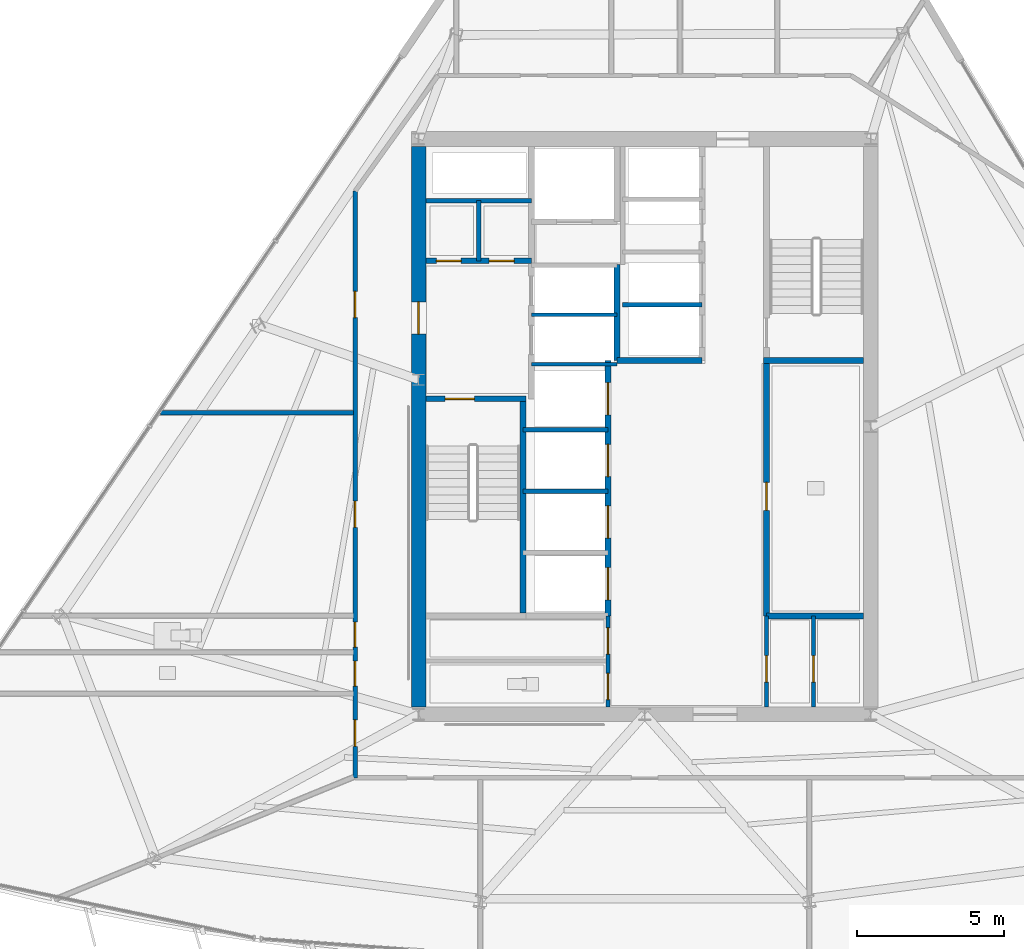
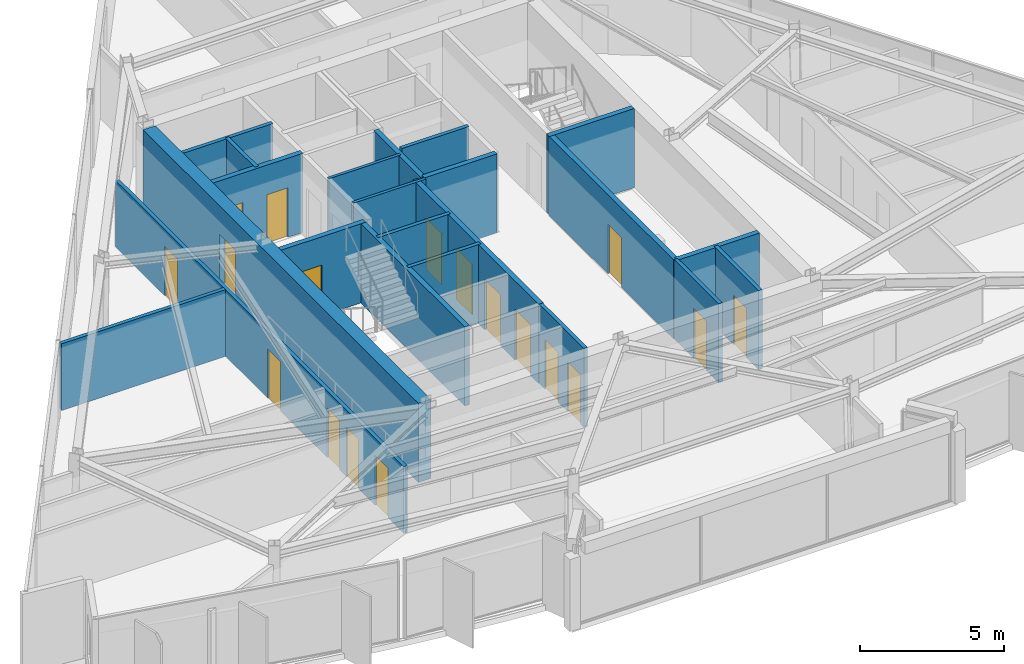
# One storey, part 8 of 14: 22 walls, 18 doors, 18 openings.
"""IFC4 building model written with IfcOpenShell, lengths in metres."""

from ifc_helpers import new_model, si_unit, direction, frame, frame_2d, origin, place, context, subcontext, project, spatial, rectangle, extrude, material, layer, layer_set, type_object, element, fill, save


model = new_model("IFC4")

# Units and contexts
model_context = context("Model", 3, precision=1e-05, world=origin(), true_north=direction((0.0, 1.0)))
body_context = subcontext(model_context, "Body", "Model", "MODEL_VIEW")
ifc_project = project(units=[si_unit("LENGTHUNIT", "METRE"), si_unit("AREAUNIT", "SQUARE_METRE"), si_unit("VOLUMEUNIT", "CUBIC_METRE"), si_unit("PLANEANGLEUNIT", "RADIAN"), si_unit("MASSUNIT", "GRAM", prefix="KILO")], contexts=[model_context])

# Site, building, storey
site_placement = place(None, origin())
site = spatial("IfcSite", under=ifc_project, at=site_placement, CompositionType="ELEMENT")
building_placement = place(site_placement, origin())
building = spatial("IfcBuilding", under=site, at=building_placement, Name="Savorim Split Tower", CompositionType="ELEMENT")
storey_placement = place(building_placement, frame((0.0, 0.0, 209.10009765625)))
storey = spatial("IfcBuildingStorey", under=building, at=storey_placement, Name="L55", CompositionType="ELEMENT", Elevation=209.10009765625)

# Wall, opening, door
ifc_material_1 = material(Name="Concrete C60/75", Category="concrete")
ifc_layer_1 = layer(ifc_material_1, 0.5)
ifc_layer_set_1 = layer_set([ifc_layer_1], Name="WAL-COR-SH500")
wall_type_1 = type_object("IfcWallType", Name="WAL-COR-SH500", PredefinedType="SHEAR", material=ifc_layer_set_1)
wall_1_placement = place(storey_placement, frame((-7.699951171875, -9.14990234375, 0.0), z_axis=(0.0, 0.0, 1.0), x_axis=(0.0, 1.0, 0.0)))
wall_1 = element("IfcWall", 1, at=wall_1_placement, inside=storey, type_object=wall_type_1, Name="L55 Offset Core West Shear Wall", PredefinedType="SHEAR", context=body_context, shape_type="SweptSolid", body=[
    extrude(rectangle(XDim=19.099853515625, YDim=0.5, at=frame_2d((9.5498046875, 0.0))), origin(), (0.0, 0.0, 1.0), 3.349853515625),
])
opening_1_placement = place(wall_1_placement, frame((12.699951171875, 0.0, 0.0)))
opening_1 = element("IfcOpeningElement", 2, at=opening_1_placement, cuts=wall_1, Name="Opening DI-03", PredefinedType="OPENING", context=body_context, shape_type="SweptSolid", body=[
    extrude(rectangle(XDim=1.10009765625, YDim=2.14990234375, at=frame_2d((0.550048828125, 1.074951171875))), frame((0.0, 0.260009765625, 0.0), z_axis=(0.0, -1.0, 0.0), x_axis=(1.0, 0.0, 0.0)), (0.0, 0.0, 1.0), 0.52001953125),
])
ifc_material_2 = material(Name="Timber Fire Door Leaf", Category="wood")
door_type_1 = type_object("IfcDoorType", Name="DOR-FIR-1100", OperationType="NOTDEFINED", PredefinedType="DOOR", material=ifc_material_2)
door_1_placement = place(opening_1_placement, origin())
door_1 = element("IfcDoor", 3, at=door_1_placement, inside=storey, type_object=door_type_1, Name="DOR-L55-COR-FFLOB - L55 Firefighting Lobby Corridor Door", OperationType="SINGLE_SWING_LEFT", OverallHeight=2.14990234375, OverallWidth=1.10009765625, PredefinedType="DOOR", context=body_context, shape_type="SweptSolid", body=[
    extrude(rectangle(XDim=1.10009765625, YDim=2.14990234375, at=frame_2d((0.550048828125, 1.074951171875))), frame((0.0, 0.02490234375, 0.0), z_axis=(0.0, -1.0, 0.0), x_axis=(1.0, 0.0, 0.0)), (0.0, 0.0, 1.0), 0.050048828125),
])
fill(opening_1, door_1)

ifc_material_3 = material(Name="Concrete C50/60", Category="concrete")
ifc_layer_2 = layer(ifc_material_3, 0.199951171875)
ifc_layer_set_2 = layer_set([ifc_layer_2], Name="WAL-INT-RC200")
wall_type_2 = type_object("IfcWallType", Name="WAL-INT-RC200", PredefinedType="SOLIDWALL", material=ifc_layer_set_2)
wall_2_placement = place(storey_placement, frame((-7.449951171875, 1.35009765625, 0.0), z_axis=(0.0, 0.0, 1.0), x_axis=(1.0, 0.0, 0.0)))
wall_2 = element("IfcWall", 4, at=wall_2_placement, inside=storey, type_object=wall_type_2, Name="L55 Structural Shaft Wall W-L55-CR01", PredefinedType="SOLIDWALL", context=body_context, shape_type="SweptSolid", body=[
    extrude(rectangle(XDim=3.39990234375, YDim=0.199951171875, at=frame_2d((1.699951171875, 0.0))), origin(), (0.0, 0.0, 1.0), 3.349853515625),
])
opening_2_placement = place(wall_2_placement, frame((0.64990234375, 0.0, 0.0)))
opening_2 = element("IfcOpeningElement", 5, at=opening_2_placement, cuts=wall_2, Name="Opening DI-04", PredefinedType="OPENING", context=body_context, shape_type="SweptSolid", body=[
    extrude(rectangle(XDim=1.0, YDim=2.14990234375, at=frame_2d((0.5, 1.074951171875))), frame((0.0, 0.10986328125, 0.0), z_axis=(0.0, -1.0, 0.0), x_axis=(1.0, 0.0, 0.0)), (0.0, 0.0, 1.0), 0.219970703125),
])
door_type_2 = type_object("IfcDoorType", Name="DOR-FIR-1000", OperationType="NOTDEFINED", PredefinedType="DOOR", material=ifc_material_2)
door_2_placement = place(opening_2_placement, origin())
door_2 = element("IfcDoor", 6, at=door_2_placement, inside=storey, type_object=door_type_2, Name="DR-L55-ST1 - L55 Stair ST-1 Enclosure Door", OperationType="SINGLE_SWING_LEFT", OverallHeight=2.14990234375, OverallWidth=1.0, PredefinedType="DOOR", context=body_context, shape_type="SweptSolid", body=[
    extrude(rectangle(XDim=1.0, YDim=2.14990234375, at=frame_2d((0.5, 1.074951171875))), frame((0.0, 0.02490234375, 0.0), z_axis=(0.0, -1.0, 0.0), x_axis=(1.0, 0.0, 0.0)), (0.0, 0.0, 1.0), 0.050048828125),
])
fill(opening_2, door_2)

# Wall
wall_3_placement = place(storey_placement, frame((-4.14990234375, -5.949951171875, 0.0), z_axis=(0.0, 0.0, 1.0), x_axis=(0.0, 1.0, 0.0)))
element("IfcWall", 7, at=wall_3_placement, inside=storey, type_object=wall_type_2, Name="L55 Structural Shaft Wall W-L55-CR02", PredefinedType="SOLIDWALL", context=body_context, shape_type="SweptSolid", body=[
    extrude(rectangle(XDim=7.199951171875, YDim=0.199951171875, at=frame_2d((3.60009765625, 0.0))), origin(), (0.0, 0.0, 1.0), 3.349853515625),
])

# Wall, openings, doors
wall_4_placement = place(storey_placement, frame((-7.445068359375, 6.050048828125, 0.0), z_axis=(0.0, 0.0, 1.0), x_axis=(1.0, 0.0, 0.0)))
wall_4 = element("IfcWall", 8, at=wall_4_placement, inside=storey, type_object=wall_type_2, Name="L55 Partition W-L55-CR04", PredefinedType="SOLIDWALL", context=body_context, shape_type="SweptSolid", body=[
    extrude(rectangle(XDim=3.594970703125, YDim=0.199951171875, at=frame_2d((1.79736328125, 0.0))), origin(), (0.0, 0.0, 1.0), 3.349853515625),
])
opening_3_placement = place(wall_4_placement, frame((0.344970703125, 0.0, 0.0)))
opening_3 = element("IfcOpeningElement", 9, at=opening_3_placement, cuts=wall_4, Name="Opening DI-12", PredefinedType="OPENING", context=body_context, shape_type="SweptSolid", body=[
    extrude(rectangle(XDim=0.85009765625, YDim=2.10009765625, at=frame_2d((0.425048828125, 1.050048828125))), frame((0.0, 0.10986328125, 0.0), z_axis=(0.0, -1.0, 0.0), x_axis=(1.0, 0.0, 0.0)), (0.0, 0.0, 1.0), 0.219970703125),
])
opening_4_placement = place(wall_4_placement, frame((2.14501953125, 0.0, 0.0)))
opening_4 = element("IfcOpeningElement", 10, at=opening_4_placement, cuts=wall_4, Name="Opening DI-12", PredefinedType="OPENING", context=body_context, shape_type="SweptSolid", body=[
    extrude(rectangle(XDim=0.85009765625, YDim=2.10009765625, at=frame_2d((0.425048828125, 1.050048828125))), frame((0.0, 0.10986328125, 0.0), z_axis=(0.0, -1.0, 0.0), x_axis=(1.0, 0.0, 0.0)), (0.0, 0.0, 1.0), 0.219970703125),
])
ifc_material_4 = material(Name="Galvanised Painted Steel Balustrade", Category="steel")
door_type_3 = type_object("IfcDoorType", Name="DOR-RIS-850", OperationType="NOTDEFINED", PredefinedType="DOOR", material=ifc_material_4)
door_3_placement = place(opening_3_placement, origin())
door_3 = element("IfcDoor", 11, at=door_3_placement, inside=storey, type_object=door_type_3, Name="DR-L55-ELR - L55 Electrical Riser Access Door", OperationType="SINGLE_SWING_RIGHT", OverallHeight=2.10009765625, OverallWidth=0.85009765625, PredefinedType="DOOR", context=body_context, shape_type="SweptSolid", body=[
    extrude(rectangle(XDim=0.85009765625, YDim=2.10009765625, at=frame_2d((0.425048828125, 1.050048828125))), frame((0.0, 0.02490234375, 0.0), z_axis=(0.0, -1.0, 0.0), x_axis=(1.0, 0.0, 0.0)), (0.0, 0.0, 1.0), 0.050048828125),
])
fill(opening_3, door_3)
door_4_placement = place(opening_4_placement, origin())
door_4 = element("IfcDoor", 12, at=door_4_placement, inside=storey, type_object=door_type_3, Name="DR-L55-TLR - L55 Telecom Riser Access Door", OperationType="SINGLE_SWING_LEFT", OverallHeight=2.10009765625, OverallWidth=0.85009765625, PredefinedType="DOOR", context=body_context, shape_type="SweptSolid", body=[
    extrude(rectangle(XDim=0.85009765625, YDim=2.10009765625, at=frame_2d((0.425048828125, 1.050048828125))), frame((0.0, 0.02490234375, 0.0), z_axis=(0.0, -1.0, 0.0), x_axis=(1.0, 0.0, 0.0)), (0.0, 0.0, 1.0), 0.050048828125),
])
fill(opening_4, door_4)

# Walls
wall_5_placement = place(storey_placement, frame((4.050048828125, 2.64990234375, 0.0), z_axis=(0.0, 0.0, 1.0), x_axis=(1.0, 0.0, 0.0)))
element("IfcWall", 13, at=wall_5_placement, inside=storey, type_object=wall_type_2, Name="L55 Structural Shaft Wall W-L55-CR08", PredefinedType="SOLIDWALL", context=body_context, shape_type="SweptSolid", body=[
    extrude(rectangle(XDim=3.39990234375, YDim=0.199951171875, at=frame_2d((1.699951171875, 0.0))), origin(), (0.0, 0.0, 1.0), 3.349853515625),
])
wall_6_placement = place(storey_placement, frame((-0.949951171875, 2.64990234375, 0.0), z_axis=(0.0, 0.0, 1.0), x_axis=(0.0, 1.0, 0.0)))
element("IfcWall", 14, at=wall_6_placement, inside=storey, type_object=wall_type_2, Name="L55 Partition W-L55-FFLW", PredefinedType="SOLIDWALL", context=body_context, shape_type="SweptSolid", body=[
    extrude(rectangle(XDim=3.27001953125, YDim=0.199951171875, at=frame_2d((1.635009765625, 0.0))), origin(), (0.0, 0.0, 1.0), 3.349853515625),
])

# Wall, opening, door
wall_7_placement = place(storey_placement, frame((4.14990234375, -6.050048828125, 0.0), z_axis=(0.0, 0.0, 1.0), x_axis=(0.0, 1.0, 0.0)))
wall_7 = element("IfcWall", 15, at=wall_7_placement, inside=storey, type_object=wall_type_2, Name="L55 Partition W-L55-B1FRONT", PredefinedType="SOLIDWALL", context=body_context, shape_type="SweptSolid", body=[
    extrude(rectangle(XDim=8.699951171875, YDim=0.199951171875, at=frame_2d((4.35009765625, 0.0))), origin(), (0.0, 0.0, 1.0), 3.349853515625),
])
opening_5_placement = place(wall_7_placement, frame((3.60009765625, 0.0, 0.0)))
opening_5 = element("IfcOpeningElement", 16, at=opening_5_placement, cuts=wall_7, Name="Opening DI-05", PredefinedType="OPENING", context=body_context, shape_type="SweptSolid", body=[
    extrude(rectangle(XDim=0.949951171875, YDim=2.10009765625, at=frame_2d((0.47509765625, 1.050048828125))), frame((0.0, 0.10986328125, 0.0), z_axis=(0.0, -1.0, 0.0), x_axis=(1.0, 0.0, 0.0)), (0.0, 0.0, 1.0), 0.219970703125),
])
door_type_4 = type_object("IfcDoorType", Name="DOR-FIR-950", OperationType="NOTDEFINED", PredefinedType="DOOR", material=ifc_material_2)
door_5_placement = place(opening_5_placement, origin())
door_5 = element("IfcDoor", 17, at=door_5_placement, inside=storey, type_object=door_type_4, Name="DR-L55-LV7B1 - L55 Community Laundry Room Door", OperationType="SINGLE_SWING_RIGHT", OverallHeight=2.10009765625, OverallWidth=0.949951171875, PredefinedType="DOOR", context=body_context, shape_type="SweptSolid", body=[
    extrude(rectangle(XDim=0.949951171875, YDim=2.10009765625, at=frame_2d((0.47509765625, 1.050048828125))), frame((0.0, 0.02490234375, 0.0), z_axis=(0.0, -1.0, 0.0), x_axis=(1.0, 0.0, 0.0)), (0.0, 0.0, 1.0), 0.050048828125),
])
fill(opening_5, door_5)

# Wall, openings, doors
wall_8_placement = place(storey_placement, frame((-1.25, -6.050048828125, 0.0), z_axis=(0.0, 0.0, 1.0), x_axis=(0.0, 1.0, 0.0)))
wall_8 = element("IfcWall", 18, at=wall_8_placement, inside=storey, type_object=wall_type_2, Name="L55 Partition W-L55-B2FRONT", PredefinedType="SOLIDWALL", context=body_context, shape_type="SweptSolid", body=[
    extrude(rectangle(XDim=8.699951171875, YDim=0.199951171875, at=frame_2d((4.35009765625, 0.0))), origin(), (0.0, 0.0, 1.0), 3.349853515625),
])
opening_6_placement = place(wall_8_placement, frame((0.550048828125, 0.0, 0.0)))
opening_6 = element("IfcOpeningElement", 19, at=opening_6_placement, cuts=wall_8, Name="Opening LD-02", PredefinedType="OPENING", context=body_context, shape_type="SweptSolid", body=[
    extrude(rectangle(XDim=1.10009765625, YDim=2.14990234375, at=frame_2d((0.550048828125, 1.074951171875))), frame((0.0, 0.10986328125, 0.0), z_axis=(0.0, -1.0, 0.0), x_axis=(1.0, 0.0, 0.0)), (0.0, 0.0, 1.0), 0.219970703125),
])
opening_7_placement = place(wall_8_placement, frame((2.64990234375, 0.0, 0.0)))
opening_7 = element("IfcOpeningElement", 20, at=opening_7_placement, cuts=wall_8, Name="Opening LD-02", PredefinedType="OPENING", context=body_context, shape_type="SweptSolid", body=[
    extrude(rectangle(XDim=1.10009765625, YDim=2.14990234375, at=frame_2d((0.550048828125, 1.074951171875))), frame((0.0, 0.10986328125, 0.0), z_axis=(0.0, -1.0, 0.0), x_axis=(1.0, 0.0, 0.0)), (0.0, 0.0, 1.0), 0.219970703125),
])
opening_8_placement = place(wall_8_placement, frame((4.75, 0.0, 0.0)))
opening_8 = element("IfcOpeningElement", 21, at=opening_8_placement, cuts=wall_8, Name="Opening LD-02", PredefinedType="OPENING", context=body_context, shape_type="SweptSolid", body=[
    extrude(rectangle(XDim=1.10009765625, YDim=2.14990234375, at=frame_2d((0.550048828125, 1.074951171875))), frame((0.0, 0.10986328125, 0.0), z_axis=(0.0, -1.0, 0.0), x_axis=(1.0, 0.0, 0.0)), (0.0, 0.0, 1.0), 0.219970703125),
])
opening_9_placement = place(wall_8_placement, frame((6.85009765625, 0.0, 0.0)))
opening_9 = element("IfcOpeningElement", 22, at=opening_9_placement, cuts=wall_8, Name="Opening LD-02", PredefinedType="OPENING", context=body_context, shape_type="SweptSolid", body=[
    extrude(rectangle(XDim=1.10009765625, YDim=2.14990234375, at=frame_2d((0.550048828125, 1.074951171875))), frame((0.0, 0.10986328125, 0.0), z_axis=(0.0, -1.0, 0.0), x_axis=(1.0, 0.0, 0.0)), (0.0, 0.0, 1.0), 0.219970703125),
])
ifc_material_5 = material(Name="Charcoal Anodised Aluminium", Category="aluminium")
door_type_5 = type_object("IfcDoorType", Name="DOR-SLD-LDM1100", OperationType="NOTDEFINED", PredefinedType="DOOR", material=ifc_material_5)
door_6_placement = place(opening_6_placement, origin())
door_6 = element("IfcDoor", 23, at=door_6_placement, inside=storey, type_object=door_type_5, Name="DR-L55-LD-PLM1 - L55 Lift PL-M1 Sliding Landing Door", OperationType="DOUBLE_DOOR_SLIDING", OverallHeight=2.14990234375, OverallWidth=1.10009765625, PredefinedType="DOOR", context=body_context, shape_type="SweptSolid", body=[
    extrude(rectangle(XDim=1.10009765625, YDim=2.14990234375, at=frame_2d((0.550048828125, 1.074951171875))), frame((0.0, 0.02490234375, 0.0), z_axis=(0.0, -1.0, 0.0), x_axis=(1.0, 0.0, 0.0)), (0.0, 0.0, 1.0), 0.050048828125),
])
fill(opening_6, door_6)
door_7_placement = place(opening_7_placement, origin())
door_7 = element("IfcDoor", 24, at=door_7_placement, inside=storey, type_object=door_type_5, Name="DR-L55-LD-PLM2 - L55 Lift PL-M2 Sliding Landing Door", OperationType="DOUBLE_DOOR_SLIDING", OverallHeight=2.14990234375, OverallWidth=1.10009765625, PredefinedType="DOOR", context=body_context, shape_type="SweptSolid", body=[
    extrude(rectangle(XDim=1.10009765625, YDim=2.14990234375, at=frame_2d((0.550048828125, 1.074951171875))), frame((0.0, 0.02490234375, 0.0), z_axis=(0.0, -1.0, 0.0), x_axis=(1.0, 0.0, 0.0)), (0.0, 0.0, 1.0), 0.050048828125),
])
fill(opening_7, door_7)
door_8_placement = place(opening_8_placement, origin())
door_8 = element("IfcDoor", 25, at=door_8_placement, inside=storey, type_object=door_type_5, Name="DR-L55-LD-PLM3 - L55 Lift PL-M3 Sliding Landing Door", OperationType="DOUBLE_DOOR_SLIDING", OverallHeight=2.14990234375, OverallWidth=1.10009765625, PredefinedType="DOOR", context=body_context, shape_type="SweptSolid", body=[
    extrude(rectangle(XDim=1.10009765625, YDim=2.14990234375, at=frame_2d((0.550048828125, 1.074951171875))), frame((0.0, 0.02490234375, 0.0), z_axis=(0.0, -1.0, 0.0), x_axis=(1.0, 0.0, 0.0)), (0.0, 0.0, 1.0), 0.050048828125),
])
fill(opening_8, door_8)
door_9_placement = place(opening_9_placement, origin())
door_9 = element("IfcDoor", 26, at=door_9_placement, inside=storey, type_object=door_type_5, Name="DR-L55-LD-PLM4 - L55 Lift PL-M4 Sliding Landing Door", OperationType="DOUBLE_DOOR_SLIDING", OverallHeight=2.14990234375, OverallWidth=1.10009765625, PredefinedType="DOOR", context=body_context, shape_type="SweptSolid", body=[
    extrude(rectangle(XDim=1.10009765625, YDim=2.14990234375, at=frame_2d((0.550048828125, 1.074951171875))), frame((0.0, 0.02490234375, 0.0), z_axis=(0.0, -1.0, 0.0), x_axis=(1.0, 0.0, 0.0)), (0.0, 0.0, 1.0), 0.050048828125),
])
fill(opening_9, door_9)

# Walls
wall_9_placement = place(storey_placement, frame((-0.949951171875, 2.64990234375, 0.0), z_axis=(0.0, 0.0, 1.0), x_axis=(1.0, 0.0, 0.0)))
element("IfcWall", 27, at=wall_9_placement, inside=storey, type_object=wall_type_2, Name="L55 Partition W-L55-B3SOUTH", PredefinedType="SOLIDWALL", context=body_context, shape_type="SweptSolid", body=[
    extrude(rectangle(XDim=2.89990234375, YDim=0.199951171875, at=frame_2d((1.449951171875, 0.0))), origin(), (0.0, 0.0, 1.0), 3.349853515625),
])
wall_10_placement = place(storey_placement, frame((4.14990234375, -6.050048828125, 0.0), z_axis=(0.0, 0.0, 1.0), x_axis=(1.0, 0.0, 0.0)))
element("IfcWall", 28, at=wall_10_placement, inside=storey, type_object=wall_type_2, Name="L55 Partition W-L55-KSEP-E", PredefinedType="SOLIDWALL", context=body_context, shape_type="SweptSolid", body=[
    extrude(rectangle(XDim=3.295166015625, YDim=0.199951171875, at=frame_2d((1.6474609375, 0.0))), origin(), (0.0, 0.0, 1.0), 3.349853515625),
])
ifc_material_6 = material(Name="Acoustic Gypsum Partition Board")
ifc_layer_3 = layer(ifc_material_6, 0.1201171875)
ifc_layer_set_3 = layer_set([ifc_layer_3], Name="WAL-PAR-120")
wall_type_3 = type_object("IfcWallType", Name="WAL-PAR-120", PredefinedType="PARTITIONING", material=ifc_layer_set_3)
for number, where, z_axis, x_axis, name in (
    (29, (-3.85009765625, 2.52001953125, 0.0), (0.0, 0.0, 1.0), (1.0, 0.0, 0.0), "L55 Partition W-L55-FFLD0"),
    (30, (-3.85009765625, 4.219970703125, 0.0), (0.0, 0.0, 1.0), (1.0, 0.0, 0.0), "L55 Partition W-L55-FFLD1"),
):
    element("IfcWall", number, at=place(storey_placement, frame(where, z_axis=z_axis, x_axis=x_axis)), inside=storey, type_object=wall_type_3, Name=name, PredefinedType="PARTITIONING", context=body_context, shape_type="SweptSolid", body=[
        extrude(rectangle(XDim=2.900146484375, YDim=0.1201171875, at=frame_2d((1.4501953125, 0.0))), origin(), (0.0, 0.0, 1.0), 3.349853515625),
    ])
ifc_layer_4 = layer(ifc_material_6, 0.14990234375)
ifc_layer_set_4 = layer_set([ifc_layer_4], Name="WAL-PAR-150")
wall_type_4 = type_object("IfcWallType", Name="WAL-PAR-150", PredefinedType="PARTITIONING", material=ifc_layer_set_4)
wall_11_placement = place(storey_placement, frame((-7.445068359375, 8.10009765625, 0.0), z_axis=(0.0, 0.0, 1.0), x_axis=(1.0, 0.0, 0.0)))
element("IfcWall", 31, at=wall_11_placement, inside=storey, type_object=wall_type_4, Name="L55 Partition W-L55-CR05", PredefinedType="PARTITIONING", context=body_context, shape_type="SweptSolid", body=[
    extrude(rectangle(XDim=3.594970703125, YDim=0.14990234375, at=frame_2d((1.79736328125, 0.0))), origin(), (0.0, 0.0, 1.0), 3.349853515625),
])
wall_12_placement = place(storey_placement, frame((-5.64990234375, 6.050048828125, 0.0), z_axis=(0.0, 0.0, 1.0), x_axis=(0.0, 1.0, 0.0)))
element("IfcWall", 32, at=wall_12_placement, inside=storey, type_object=wall_type_4, Name="L55 Partition W-L55-CR06", PredefinedType="PARTITIONING", context=body_context, shape_type="SweptSolid", body=[
    extrude(rectangle(XDim=2.050048828125, YDim=0.14990234375, at=frame_2d((1.02490234375, 0.0))), origin(), (0.0, 0.0, 1.0), 3.349853515625),
])
for number, where, z_axis, x_axis, name in (
    (33, (-4.14990234375, -1.800048828125, 0.0), (0.0, 0.0, 1.0), (1.0, 0.0, 0.0), "L55 Partition W-L55-B2DIV2"),
    (34, (-4.14990234375, 0.300048828125, 0.0), (0.0, 0.0, 1.0), (1.0, 0.0, 0.0), "L55 Partition W-L55-B2DIV3"),
):
    element("IfcWall", number, at=place(storey_placement, frame(where, z_axis=z_axis, x_axis=x_axis)), inside=storey, type_object=wall_type_4, Name=name, PredefinedType="PARTITIONING", context=body_context, shape_type="SweptSolid", body=[
        extrude(rectangle(XDim=2.89990234375, YDim=0.14990234375, at=frame_2d((1.449951171875, 0.0))), origin(), (0.0, 0.0, 1.0), 3.349853515625),
    ])
wall_13_placement = place(storey_placement, frame((-0.75, 4.550048828125, 0.0), z_axis=(0.0, 0.0, 1.0), x_axis=(1.0, 0.0, 0.0)))
element("IfcWall", 35, at=wall_13_placement, inside=storey, type_object=wall_type_4, Name="L55 Partition W-L55-B3DIV1", PredefinedType="PARTITIONING", context=body_context, shape_type="SweptSolid", body=[
    extrude(rectangle(XDim=2.699951171875, YDim=0.14990234375, at=frame_2d((1.35009765625, 0.0))), origin(), (0.0, 0.0, 1.0), 3.349853515625),
])

# Wall, openings, doors
wall_14_placement = place(storey_placement, frame((-1.25, -9.14501953125, 0.0), z_axis=(0.0, 0.0, 1.0), x_axis=(0.0, 1.0, 0.0)))
wall_14 = element("IfcWall", 36, at=wall_14_placement, inside=storey, type_object=wall_type_4, Name="L55 Partition W-L55-KLOB-W", PredefinedType="PARTITIONING", context=body_context, shape_type="SweptSolid", body=[
    extrude(rectangle(XDim=3.094970703125, YDim=0.14990234375, at=frame_2d((1.54736328125, 0.0))), origin(), (0.0, 0.0, 1.0), 3.349853515625),
])
opening_10_placement = place(wall_14_placement, frame((1.794921875, 0.0, 0.0)))
opening_10 = element("IfcOpeningElement", 37, at=opening_10_placement, cuts=wall_14, Name="Opening DI-06", PredefinedType="OPENING", context=body_context, shape_type="SweptSolid", body=[
    extrude(rectangle(XDim=0.89990234375, YDim=2.10009765625, at=frame_2d((0.449951171875, 1.050048828125))), frame((0.0, 0.0849609375, 0.0), z_axis=(0.0, -1.0, 0.0), x_axis=(1.0, 0.0, 0.0)), (0.0, 0.0, 1.0), 0.169921875),
])
opening_11_placement = place(wall_14_placement, frame((0.2451171875, 0.0, 0.0)))
opening_11 = element("IfcOpeningElement", 38, at=opening_11_placement, cuts=wall_14, Name="Opening DI-11", PredefinedType="OPENING", context=body_context, shape_type="SweptSolid", body=[
    extrude(rectangle(XDim=0.89990234375, YDim=2.10009765625, at=frame_2d((0.449951171875, 1.050048828125))), frame((0.0, 0.0849609375, 0.0), z_axis=(0.0, -1.0, 0.0), x_axis=(1.0, 0.0, 0.0)), (0.0, 0.0, 1.0), 0.169921875),
])
door_type_6 = type_object("IfcDoorType", Name="DOR-FIR-900", OperationType="NOTDEFINED", PredefinedType="DOOR", material=ifc_material_2)
door_10_placement = place(opening_10_placement, origin())
door_10 = element("IfcDoor", 39, at=door_10_placement, inside=storey, type_object=door_type_6, Name="DR-L55-K2CLN - L55 Cleaning Store Door", OperationType="SINGLE_SWING_LEFT", OverallHeight=2.10009765625, OverallWidth=0.89990234375, PredefinedType="DOOR", context=body_context, shape_type="SweptSolid", body=[
    extrude(rectangle(XDim=0.89990234375, YDim=2.10009765625, at=frame_2d((0.449951171875, 1.050048828125))), frame((0.0, 0.02490234375, 0.0), z_axis=(0.0, -1.0, 0.0), x_axis=(1.0, 0.0, 0.0)), (0.0, 0.0, 1.0), 0.050048828125),
])
fill(opening_10, door_10)
ifc_material_7 = material(Name="Oak Veneer Acoustic Door")
door_type_7 = type_object("IfcDoorType", Name="DOR-WC-900", OperationType="NOTDEFINED", PredefinedType="DOOR", material=ifc_material_7)
door_11_placement = place(opening_11_placement, origin())
door_11 = element("IfcDoor", 40, at=door_11_placement, inside=storey, type_object=door_type_7, Name="DR-L55-K2WC - L55 Core WC Door", OperationType="SINGLE_SWING_RIGHT", OverallHeight=2.10009765625, OverallWidth=0.89990234375, PredefinedType="DOOR", context=body_context, shape_type="SweptSolid", body=[
    extrude(rectangle(XDim=0.89990234375, YDim=2.10009765625, at=frame_2d((0.449951171875, 1.050048828125))), frame((0.0, 0.02490234375, 0.0), z_axis=(0.0, -1.0, 0.0), x_axis=(1.0, 0.0, 0.0)), (0.0, 0.0, 1.0), 0.050048828125),
])
fill(opening_11, door_11)

# Wall, opening, door
wall_15_placement = place(storey_placement, frame((4.14990234375, -9.14501953125, 0.0), z_axis=(0.0, 0.0, 1.0), x_axis=(0.0, 1.0, 0.0)))
wall_15 = element("IfcWall", 41, at=wall_15_placement, inside=storey, type_object=wall_type_4, Name="L55 Partition W-L55-KLOB-E", PredefinedType="PARTITIONING", context=body_context, shape_type="SweptSolid", body=[
    extrude(rectangle(XDim=3.094970703125, YDim=0.14990234375, at=frame_2d((1.54736328125, 0.0))), origin(), (0.0, 0.0, 1.0), 3.349853515625),
])
opening_12_placement = place(wall_15_placement, frame((0.844970703125, 0.0, 0.0)))
opening_12 = element("IfcOpeningElement", 42, at=opening_12_placement, cuts=wall_15, Name="Opening DI-06", PredefinedType="OPENING", context=body_context, shape_type="SweptSolid", body=[
    extrude(rectangle(XDim=0.89990234375, YDim=2.10009765625, at=frame_2d((0.449951171875, 1.050048828125))), frame((0.0, 0.0849609375, 0.0), z_axis=(0.0, -1.0, 0.0), x_axis=(1.0, 0.0, 0.0)), (0.0, 0.0, 1.0), 0.169921875),
])
door_12_placement = place(opening_12_placement, origin())
door_12 = element("IfcDoor", 43, at=door_12_placement, inside=storey, type_object=door_type_6, Name="DR-L55-K2PAN - L55 Vending Pantry Door", OperationType="SINGLE_SWING_LEFT", OverallHeight=2.10009765625, OverallWidth=0.89990234375, PredefinedType="DOOR", context=body_context, shape_type="SweptSolid", body=[
    extrude(rectangle(XDim=0.89990234375, YDim=2.10009765625, at=frame_2d((0.449951171875, 1.050048828125))), frame((0.0, 0.02490234375, 0.0), z_axis=(0.0, -1.0, 0.0), x_axis=(1.0, 0.0, 0.0)), (0.0, 0.0, 1.0), 0.050048828125),
])
fill(opening_12, door_12)

wall_16_placement = place(storey_placement, frame((5.75, -9.14501953125, 0.0), z_axis=(0.0, 0.0, 1.0), x_axis=(0.0, 1.0, 0.0)))
wall_16 = element("IfcWall", 44, at=wall_16_placement, inside=storey, type_object=wall_type_4, Name="L55 Partition W-L55-K2E", PredefinedType="PARTITIONING", context=body_context, shape_type="SweptSolid", body=[
    extrude(rectangle(XDim=3.094970703125, YDim=0.14990234375, at=frame_2d((1.54736328125, 0.0))), origin(), (0.0, 0.0, 1.0), 3.349853515625),
])
opening_13_placement = place(wall_16_placement, frame((0.844970703125, 0.0, 0.0)))
opening_13 = element("IfcOpeningElement", 45, at=opening_13_placement, cuts=wall_16, Name="Opening DI-06", PredefinedType="OPENING", context=body_context, shape_type="SweptSolid", body=[
    extrude(rectangle(XDim=0.89990234375, YDim=2.10009765625, at=frame_2d((0.449951171875, 1.050048828125))), frame((0.0, 0.0849609375, 0.0), z_axis=(0.0, -1.0, 0.0), x_axis=(1.0, 0.0, 0.0)), (0.0, 0.0, 1.0), 0.169921875),
])
door_13_placement = place(opening_13_placement, origin())
door_13 = element("IfcDoor", 46, at=door_13_placement, inside=storey, type_object=door_type_6, Name="DR-L55-K2REF - L55 Recycling Room Door", OperationType="SINGLE_SWING_RIGHT", OverallHeight=2.10009765625, OverallWidth=0.89990234375, PredefinedType="DOOR", context=body_context, shape_type="SweptSolid", body=[
    extrude(rectangle(XDim=0.89990234375, YDim=2.10009765625, at=frame_2d((0.449951171875, 1.050048828125))), frame((0.0, 0.02490234375, 0.0), z_axis=(0.0, -1.0, 0.0), x_axis=(1.0, 0.0, 0.0)), (0.0, 0.0, 1.0), 0.050048828125),
])
fill(opening_13, door_13)

# Wall, openings, doors
wall_17_placement = place(storey_placement, frame((-9.860107421875, -11.56005859375, 0.0), z_axis=(0.0, 0.0, 1.0), x_axis=(0.0, 1.0, 0.0)))
wall_17 = element("IfcWall", 47, at=wall_17_placement, inside=storey, type_object=wall_type_4, Name="L55 Partition W-L55-COR-01", PredefinedType="PARTITIONING", context=body_context, shape_type="SweptSolid", body=[
    extrude(rectangle(XDim=19.98583984375, YDim=0.14990234375, at=frame_2d((9.992919921875, 0.0))), origin(), (0.0, 0.0, 1.0), 2.824951171875),
])
opening_14_placement = place(wall_17_placement, frame((8.526611328125, 0.0, 0.0)))
opening_14 = element("IfcOpeningElement", 48, at=opening_14_placement, cuts=wall_17, Name="Opening DI-06", PredefinedType="OPENING", context=body_context, shape_type="SweptSolid", body=[
    extrude(rectangle(XDim=0.89990234375, YDim=2.10009765625, at=frame_2d((0.449951171875, 1.050048828125))), frame((0.0, 0.0849609375, 0.0), z_axis=(0.0, -1.0, 0.0), x_axis=(1.0, 0.0, 0.0)), (0.0, 0.0, 1.0), 0.169921875),
])
opening_15_placement = place(wall_17_placement, frame((4.44921875, 0.0, 0.0)))
opening_15 = element("IfcOpeningElement", 49, at=opening_15_placement, cuts=wall_17, Name="Opening DI-13", PredefinedType="OPENING", context=body_context, shape_type="SweptSolid", body=[
    extrude(rectangle(XDim=0.85009765625, YDim=2.10009765625, at=frame_2d((0.425048828125, 1.050048828125))), frame((0.0, 0.0849609375, 0.0), z_axis=(0.0, -1.0, 0.0), x_axis=(1.0, 0.0, 0.0)), (0.0, 0.0, 1.0), 0.169921875),
])
opening_16_placement = place(wall_17_placement, frame((3.12060546875, 0.0, 0.0)))
opening_16 = element("IfcOpeningElement", 50, at=opening_16_placement, cuts=wall_17, Name="Opening DI-13", PredefinedType="OPENING", context=body_context, shape_type="SweptSolid", body=[
    extrude(rectangle(XDim=0.85009765625, YDim=2.10009765625, at=frame_2d((0.425048828125, 1.050048828125))), frame((0.0, 0.0849609375, 0.0), z_axis=(0.0, -1.0, 0.0), x_axis=(1.0, 0.0, 0.0)), (0.0, 0.0, 1.0), 0.169921875),
])
opening_17_placement = place(wall_17_placement, frame((1.0703125, 0.0, 0.0)))
opening_17 = element("IfcOpeningElement", 51, at=opening_17_placement, cuts=wall_17, Name="Opening DI-06", PredefinedType="OPENING", context=body_context, shape_type="SweptSolid", body=[
    extrude(rectangle(XDim=0.89990234375, YDim=2.10009765625, at=frame_2d((0.449951171875, 1.050048828125))), frame((0.0, 0.0849609375, 0.0), z_axis=(0.0, -1.0, 0.0), x_axis=(1.0, 0.0, 0.0)), (0.0, 0.0, 1.0), 0.169921875),
])
opening_18_placement = place(wall_17_placement, frame((15.670654296875, 0.0, 0.0)))
opening_18 = element("IfcOpeningElement", 52, at=opening_18_placement, cuts=wall_17, Name="Opening DI-06", PredefinedType="OPENING", context=body_context, shape_type="SweptSolid", body=[
    extrude(rectangle(XDim=0.89990234375, YDim=2.10009765625, at=frame_2d((0.449951171875, 1.050048828125))), frame((0.0, 0.0849609375, 0.0), z_axis=(0.0, -1.0, 0.0), x_axis=(1.0, 0.0, 0.0)), (0.0, 0.0, 1.0), 0.169921875),
])
door_type_8 = type_object("IfcDoorType", Name="DOR-FIR-850", OperationType="NOTDEFINED", PredefinedType="DOOR", material=ifc_material_2)
door_14_placement = place(opening_15_placement, origin())
door_14 = element("IfcDoor", 53, at=door_14_placement, inside=storey, type_object=door_type_8, Name="DR-L55-RM02 - L55 Shared Bathroom Entry Door", OperationType="SINGLE_SWING_LEFT", OverallHeight=2.10009765625, OverallWidth=0.85009765625, PredefinedType="DOOR", context=body_context, shape_type="SweptSolid", body=[
    extrude(rectangle(XDim=0.85009765625, YDim=2.10009765625, at=frame_2d((0.425048828125, 1.050048828125))), frame((0.0, 0.02490234375, 0.0), z_axis=(0.0, -1.0, 0.0), x_axis=(1.0, 0.0, 0.0)), (0.0, 0.0, 1.0), 0.050048828125),
])
fill(opening_15, door_14)
door_15_placement = place(opening_16_placement, origin())
door_15 = element("IfcDoor", 54, at=door_15_placement, inside=storey, type_object=door_type_8, Name="DR-L55-RM03 - L55 Shared Kitchen Entry Door", OperationType="SINGLE_SWING_RIGHT", OverallHeight=2.10009765625, OverallWidth=0.85009765625, PredefinedType="DOOR", context=body_context, shape_type="SweptSolid", body=[
    extrude(rectangle(XDim=0.85009765625, YDim=2.10009765625, at=frame_2d((0.425048828125, 1.050048828125))), frame((0.0, 0.02490234375, 0.0), z_axis=(0.0, -1.0, 0.0), x_axis=(1.0, 0.0, 0.0)), (0.0, 0.0, 1.0), 0.050048828125),
])
fill(opening_16, door_15)
door_16_placement = place(opening_14_placement, origin())
door_16 = element("IfcDoor", 55, at=door_16_placement, inside=storey, type_object=door_type_6, Name="DR-L55-RM01 - L55 Co-Working Commons Entry Door", OperationType="SINGLE_SWING_RIGHT", OverallHeight=2.10009765625, OverallWidth=0.89990234375, PredefinedType="DOOR", context=body_context, shape_type="SweptSolid", body=[
    extrude(rectangle(XDim=0.89990234375, YDim=2.10009765625, at=frame_2d((0.449951171875, 1.050048828125))), frame((0.0, 0.02490234375, 0.0), z_axis=(0.0, -1.0, 0.0), x_axis=(1.0, 0.0, 0.0)), (0.0, 0.0, 1.0), 0.050048828125),
])
fill(opening_14, door_16)
door_17_placement = place(opening_17_placement, origin())
door_17 = element("IfcDoor", 56, at=door_17_placement, inside=storey, type_object=door_type_6, Name="DR-L55-RM04 - L55 Co-Working Commons Entry Door", OperationType="SINGLE_SWING_LEFT", OverallHeight=2.10009765625, OverallWidth=0.89990234375, PredefinedType="DOOR", context=body_context, shape_type="SweptSolid", body=[
    extrude(rectangle(XDim=0.89990234375, YDim=2.10009765625, at=frame_2d((0.449951171875, 1.050048828125))), frame((0.0, 0.02490234375, 0.0), z_axis=(0.0, -1.0, 0.0), x_axis=(1.0, 0.0, 0.0)), (0.0, 0.0, 1.0), 0.050048828125),
])
fill(opening_17, door_17)
door_18_placement = place(opening_18_placement, origin())
door_18 = element("IfcDoor", 57, at=door_18_placement, inside=storey, type_object=door_type_6, Name="DR-L55-RM17 - L55 Co-Working Commons Entry Door", OperationType="SINGLE_SWING_RIGHT", OverallHeight=2.10009765625, OverallWidth=0.89990234375, PredefinedType="DOOR", context=body_context, shape_type="SweptSolid", body=[
    extrude(rectangle(XDim=0.89990234375, YDim=2.10009765625, at=frame_2d((0.449951171875, 1.050048828125))), frame((0.0, 0.02490234375, 0.0), z_axis=(0.0, -1.0, 0.0), x_axis=(1.0, 0.0, 0.0)), (0.0, 0.0, 1.0), 0.050048828125),
])
fill(opening_18, door_18)

# Wall
wall_18_placement = place(storey_placement, frame((-9.919921875, 0.8740234375, 0.0), z_axis=(0.0, 0.0, 1.0), x_axis=(-1.0, 0.0, 0.0)))
element("IfcWall", 58, at=wall_18_placement, inside=storey, type_object=wall_type_4, Name="L55 Partition W-L55-SUB09", PredefinedType="PARTITIONING", context=body_context, shape_type="SweptSolid", body=[
    extrude(rectangle(XDim=6.570068359375, YDim=0.14990234375, at=frame_2d((3.28515625, 0.0))), origin(), (0.0, 0.0, 1.0), 2.824951171875),
])

save(model, "model.ifc")
